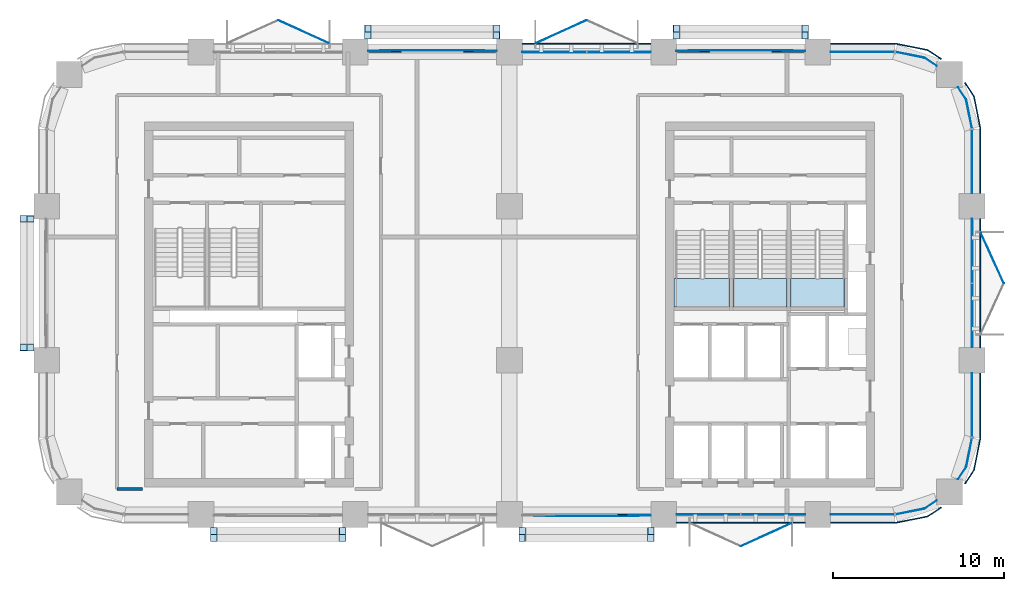
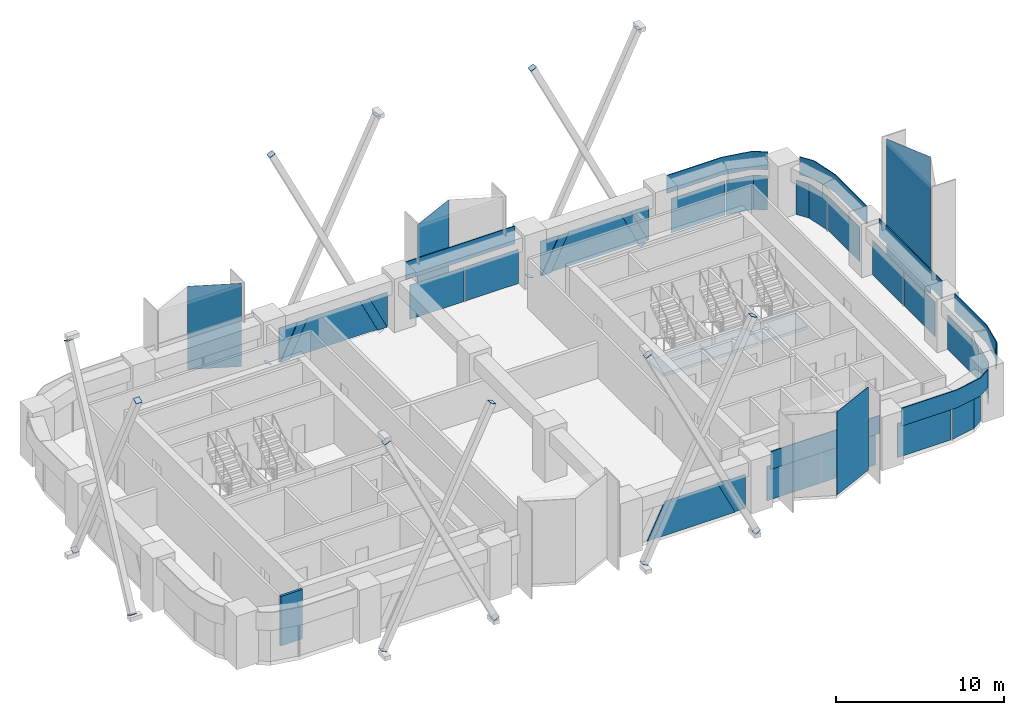
# One storey, part 8 of 14: 58 plates, 3 slabs, 1 wall, 13 elements without a shape of their own.
"""IFC4 building model written with IfcOpenShell, lengths in metres."""

from ifc_helpers import new_model, si_unit, direction, frame, frame_2d, origin, origin_2d, place, context, subcontext, project, spatial, polyline, rectangle, outline, extrude, material, layer, layer_set, type_object, element, aggregate, save


model = new_model("IFC4")

# Units and contexts
model_context = context("Model", 3, precision=1e-05, world=origin(), true_north=direction((0.0, 1.0)))
body_context = subcontext(model_context, "Body", "Model", "MODEL_VIEW")
ifc_project = project(units=[si_unit("LENGTHUNIT", "METRE"), si_unit("AREAUNIT", "SQUARE_METRE"), si_unit("VOLUMEUNIT", "CUBIC_METRE"), si_unit("PLANEANGLEUNIT", "RADIAN"), si_unit("MASSUNIT", "GRAM", prefix="KILO")], contexts=[model_context])

# Site, building, storey
site_placement = place(None, origin())
site = spatial("IfcSite", under=ifc_project, at=site_placement, CompositionType="ELEMENT")
building_placement = place(site_placement, origin())
building = spatial("IfcBuilding", under=site, at=building_placement, Name="Tessera Arch", CompositionType="ELEMENT")
storey_placement = place(building_placement, frame((0.0, 0.0, 181.699951171875)))
storey = spatial("IfcBuildingStorey", under=building, at=storey_placement, Name="L43", CompositionType="ELEMENT", Elevation=181.699951171875)

# Curtain wall, plates
ifc_material_1 = material(Name="CW1 curtain wall")
curtain_wall_type_1 = type_object("IfcCurtainWallType", Name="CW1 curtain wall", PredefinedType="NOTDEFINED", material=ifc_material_1)
curtain_wall_1_placement = place(storey_placement, origin())
curtain_wall_1 = element("IfcCurtainWall", 1, at=curtain_wall_1_placement, inside=storey, type_object=curtain_wall_type_1, Name="CW1 curtain wall E54.27/0 L43", PredefinedType="NOTDEFINED")
ifc_material_2 = material(Name="Clear low-e glass", Category="glass")
ifc_material_3 = material(Name="Clear low-e glass", Category="glass")
ifc_layer_1 = layer(ifc_material_3, 0.028076171875)
ifc_layer_set_1 = layer_set([ifc_layer_1], Name="CW1 glass panel")
plate_type_1 = type_object("IfcPlateType", Name="CW1 glass panel", PredefinedType="CURTAIN_PANEL", material=ifc_layer_set_1)
plate_1_placement = place(storey_placement, frame((54.0, 38.610107421875, 0.0), z_axis=(0.0, 0.0, 1.0), x_axis=(0.0, 1.0, 0.0)))
plate_1 = element("IfcPlate", 2, at=plate_1_placement, type_object=plate_type_1, material=ifc_material_2, Name="CW1 glass panel E54.27/0 1.1.1", PredefinedType="CURTAIN_PANEL", context=body_context, shape_type="SweptSolid", body=[
    extrude(rectangle(XDim=3.719970703125, YDim=0.028076171875, at=origin_2d()), origin(), (0.0, 0.0, 1.0), 2.5),
])
plate_2_placement = place(storey_placement, frame((54.0, 42.389892578125, 0.0), z_axis=(0.0, 0.0, 1.0), x_axis=(0.0, 1.0, 0.0)))
plate_2 = element("IfcPlate", 3, at=plate_2_placement, type_object=plate_type_1, material=ifc_material_2, Name="CW1 glass panel E54.27/0 1.2.1", PredefinedType="CURTAIN_PANEL", context=body_context, shape_type="SweptSolid", body=[
    extrude(rectangle(XDim=3.719970703125, YDim=0.028076171875, at=origin_2d()), origin(), (0.0, 0.0, 1.0), 2.5),
])

curtain_wall_2_placement = place(storey_placement, origin())
curtain_wall_2 = element("IfcCurtainWall", 4, at=curtain_wall_2_placement, inside=storey, type_object=curtain_wall_type_1, Name="CW1 curtain wall N54.0/2 L43", PredefinedType="NOTDEFINED")
plate_3_placement = place(storey_placement, frame((33.389892578125, 54.0, 0.0), z_axis=(0.0, 0.0, 1.0), x_axis=(-1.0, 0.0, 0.0)))
plate_3 = element("IfcPlate", 5, at=plate_3_placement, type_object=plate_type_1, material=ifc_material_2, Name="CW1 glass panel N54.0/2 1.1.1", PredefinedType="CURTAIN_PANEL", context=body_context, shape_type="SweptSolid", body=[
    extrude(rectangle(XDim=3.719970703125, YDim=0.028076171875, at=origin_2d()), origin(), (0.0, 0.0, 1.0), 2.5),
])
plate_4_placement = place(storey_placement, frame((29.610107421875, 54.0, 0.0), z_axis=(0.0, 0.0, 1.0), x_axis=(-1.0, 0.0, 0.0)))
plate_4 = element("IfcPlate", 6, at=plate_4_placement, type_object=plate_type_1, material=ifc_material_2, Name="CW1 glass panel N54.0/2 1.2.1", PredefinedType="CURTAIN_PANEL", context=body_context, shape_type="SweptSolid", body=[
    extrude(rectangle(XDim=3.719970703125, YDim=0.028076171875, at=origin_2d()), origin(), (0.0, 0.0, 1.0), 2.5),
])

curtain_wall_3_placement = place(storey_placement, origin())
curtain_wall_3 = element("IfcCurtainWall", 7, at=curtain_wall_3_placement, inside=storey, type_object=curtain_wall_type_1, Name="CW1 curtain wall S27.0/4 L43", PredefinedType="NOTDEFINED")
plate_5_placement = place(storey_placement, frame((38.610107421875, 27.0, 0.0), z_axis=(0.0, 0.0, 1.0), x_axis=(1.0, 0.0, 0.0)))
plate_5 = element("IfcPlate", 8, at=plate_5_placement, type_object=plate_type_1, material=ifc_material_2, Name="CW1 glass panel S27.0/4 1.1.1", PredefinedType="CURTAIN_PANEL", context=body_context, shape_type="SweptSolid", body=[
    extrude(rectangle(XDim=3.719970703125, YDim=0.028076171875, at=origin_2d()), origin(), (0.0, 0.0, 1.0), 2.5),
])
plate_6_placement = place(storey_placement, frame((42.389892578125, 27.0, 0.0), z_axis=(0.0, 0.0, 1.0), x_axis=(1.0, 0.0, 0.0)))
plate_6 = element("IfcPlate", 9, at=plate_6_placement, type_object=plate_type_1, material=ifc_material_2, Name="CW1 glass panel S27.0/4 1.2.1", PredefinedType="CURTAIN_PANEL", context=body_context, shape_type="SweptSolid", body=[
    extrude(rectangle(XDim=3.719970703125, YDim=0.028076171875, at=origin_2d()), origin(), (0.0, 0.0, 1.0), 2.5),
])

# Plate
ifc_material_4 = material(Name="Pale anodised aluminium panel", Category="aluminium")
ifc_layer_2 = layer(ifc_material_4, 0.06005859375)
ifc_layer_set_2 = layer_set([ifc_layer_2], Name="CW1 spandrel panel")
plate_type_2 = type_object("IfcPlateType", Name="CW1 spandrel panel", PredefinedType="CURTAIN_PANEL", material=ifc_layer_set_2)
plate_7_placement = place(storey_placement, frame((54.47998046875, 40.5, 2.60009765625), z_axis=(0.0, 0.0, 1.0), x_axis=(0.0, 1.0, 0.0)))
plate_7 = element("IfcPlate", 10, at=plate_7_placement, type_object=plate_type_2, Name="CW1 spandrel panel E54.27/0", PredefinedType="CURTAIN_PANEL", context=body_context, shape_type="SweptSolid", body=[
    extrude(rectangle(XDim=7.5, YDim=0.06005859375, at=origin_2d()), origin(), (0.0, 0.0, 1.0), 1.300048828125),
])

aggregate(curtain_wall_1, [plate_1, plate_2, plate_7])

plate_8_placement = place(storey_placement, frame((31.5, 54.47998046875, 2.60009765625), z_axis=(0.0, 0.0, 1.0), x_axis=(-1.0, 0.0, 0.0)))
plate_8 = element("IfcPlate", 11, at=plate_8_placement, type_object=plate_type_2, Name="CW1 spandrel panel N54.0/2", PredefinedType="CURTAIN_PANEL", context=body_context, shape_type="SweptSolid", body=[
    extrude(rectangle(XDim=7.5, YDim=0.06005859375, at=origin_2d()), origin(), (0.0, 0.0, 1.0), 1.300048828125),
])

aggregate(curtain_wall_2, [plate_3, plate_4, plate_8])

plate_9_placement = place(storey_placement, frame((40.5, 26.52001953125, 2.60009765625), z_axis=(0.0, 0.0, 1.0), x_axis=(1.0, 0.0, 0.0)))
plate_9 = element("IfcPlate", 12, at=plate_9_placement, type_object=plate_type_2, Name="CW1 spandrel panel S27.0/4", PredefinedType="CURTAIN_PANEL", context=body_context, shape_type="SweptSolid", body=[
    extrude(rectangle(XDim=7.5, YDim=0.06005859375, at=origin_2d()), origin(), (0.0, 0.0, 1.0), 1.300048828125),
])

aggregate(curtain_wall_3, [plate_5, plate_6, plate_9])

# Curtain wall, plates
ifc_material_5 = material(Name="CW2 curtain wall")
curtain_wall_type_2 = type_object("IfcCurtainWallType", Name="CW2 curtain wall", PredefinedType="NOTDEFINED", material=ifc_material_5)
curtain_wall_4_placement = place(storey_placement, origin())
curtain_wall_4 = element("IfcCurtainWall", 13, at=curtain_wall_4_placement, inside=storey, type_object=curtain_wall_type_2, Name="CW2 curtain wall E54.27/1 L43", PredefinedType="NOTDEFINED")
ifc_material_6 = material(Name="Clear low-e glass", Category="glass")
ifc_layer_3 = layer(ifc_material_6, 0.028076171875)
ifc_layer_set_3 = layer_set([ifc_layer_3], Name="CW2 glass panel")
plate_type_3 = type_object("IfcPlateType", Name="CW2 glass panel", PredefinedType="CURTAIN_PANEL", material=ifc_layer_set_3)
plate_10_placement = place(storey_placement, frame((54.0, 47.60498046875, 0.0), z_axis=(0.0, 0.0, 1.0), x_axis=(0.0, 1.0, 0.0)))
plate_10 = element("IfcPlate", 14, at=plate_10_placement, type_object=plate_type_3, material=ifc_material_2, Name="CW2 glass panel E54.27/1 1.1", PredefinedType="CURTAIN_PANEL", context=body_context, shape_type="SweptSolid", body=[
    extrude(rectangle(XDim=3.7099609375, YDim=0.028076171875, at=origin_2d()), origin(), (0.0, 0.0, 1.0), 2.5),
])
plate_11_placement = place(storey_placement, origin())
plate_11 = element("IfcPlate", 15, at=plate_11_placement, type_object=plate_type_3, material=ifc_material_2, Name="CW2 curved glass panel E54.27/1 2.1", PredefinedType="CURTAIN_PANEL", context=body_context, shape_type="SweptSolid", body=[
    extrude(outline(polyline([(53.644287109375, 51.216552734375), (53.978515625, 49.53662109375), (54.005859375, 49.5419921875), (53.670654296875, 51.2275390625), (53.19482421875, 51.939697265625), (53.17138671875, 51.92431640625), (53.644287109375, 51.216552734375)])), origin(), (0.0, 0.0, 1.0), 2.5),
])

curtain_wall_5_placement = place(storey_placement, origin())
curtain_wall_5 = element("IfcCurtainWall", 16, at=curtain_wall_5_placement, inside=storey, type_object=curtain_wall_type_2, Name="CW2 curtain wall N54.0/0 L43", PredefinedType="NOTDEFINED")
plate_12_placement = place(storey_placement, frame((47.60498046875, 54.0, 0.0), z_axis=(0.0, 0.0, 1.0), x_axis=(-1.0, 0.0, 0.0)))
plate_12 = element("IfcPlate", 17, at=plate_12_placement, type_object=plate_type_3, material=ifc_material_2, Name="CW2 glass panel N54.0/0 1.1", PredefinedType="CURTAIN_PANEL", context=body_context, shape_type="SweptSolid", body=[
    extrude(rectangle(XDim=3.7099609375, YDim=0.028076171875, at=origin_2d()), origin(), (0.0, 0.0, 1.0), 2.5),
])
plate_13_placement = place(storey_placement, origin())
plate_13 = element("IfcPlate", 18, at=plate_13_placement, type_object=plate_type_3, material=ifc_material_2, Name="CW2 curved glass panel N54.0/0 2.1", PredefinedType="CURTAIN_PANEL", context=body_context, shape_type="SweptSolid", body=[
    extrude(outline(polyline([(51.216552734375, 53.644287109375), (51.92431640625, 53.17138671875), (51.939697265625, 53.19482421875), (51.2275390625, 53.670654296875), (49.5419921875, 54.005859375), (49.53662109375, 53.978515625), (51.216552734375, 53.644287109375)])), origin(), (0.0, 0.0, 1.0), 2.5),
])

curtain_wall_6_placement = place(storey_placement, origin())
curtain_wall_6 = element("IfcCurtainWall", 19, at=curtain_wall_6_placement, inside=storey, type_object=curtain_wall_type_2, Name="CW2 curtain wall S27.0/5 L43", PredefinedType="NOTDEFINED")
plate_14_placement = place(storey_placement, frame((47.60498046875, 27.0, 0.0), z_axis=(0.0, 0.0, 1.0), x_axis=(1.0, 0.0, 0.0)))
plate_14 = element("IfcPlate", 20, at=plate_14_placement, type_object=plate_type_3, material=ifc_material_2, Name="CW2 glass panel S27.0/5 1.1", PredefinedType="CURTAIN_PANEL", context=body_context, shape_type="SweptSolid", body=[
    extrude(rectangle(XDim=3.7099609375, YDim=0.028076171875, at=origin_2d()), origin(), (0.0, 0.0, 1.0), 2.5),
])
plate_15_placement = place(storey_placement, origin())
plate_15 = element("IfcPlate", 21, at=plate_15_placement, type_object=plate_type_3, material=ifc_material_2, Name="CW2 curved glass panel S27.0/5 2.1", PredefinedType="CURTAIN_PANEL", context=body_context, shape_type="SweptSolid", body=[
    extrude(outline(polyline([(51.216552734375, 27.355712890625), (49.53662109375, 27.021484375), (49.5419921875, 26.994140625), (51.2275390625, 27.329345703125), (51.939697265625, 27.80517578125), (51.92431640625, 27.82861328125), (51.216552734375, 27.355712890625)])), origin(), (0.0, 0.0, 1.0), 2.5),
])

curtain_wall_7_placement = place(storey_placement, origin())
curtain_wall_7 = element("IfcCurtainWall", 22, at=curtain_wall_7_placement, inside=storey, type_object=curtain_wall_type_2, Name="CW2 curtain wall E54.27/2 L43", PredefinedType="NOTDEFINED")
plate_16_placement = place(storey_placement, frame((54.0, 33.39501953125, 0.0), z_axis=(0.0, 0.0, 1.0), x_axis=(0.0, 1.0, 0.0)))
plate_16 = element("IfcPlate", 23, at=plate_16_placement, type_object=plate_type_3, material=ifc_material_2, Name="CW2 glass panel E54.27/2 1.1", PredefinedType="CURTAIN_PANEL", context=body_context, shape_type="SweptSolid", body=[
    extrude(rectangle(XDim=3.7099609375, YDim=0.028076171875, at=origin_2d()), origin(), (0.0, 0.0, 1.0), 2.5),
])
plate_17_placement = place(storey_placement, origin())
plate_17 = element("IfcPlate", 24, at=plate_17_placement, type_object=plate_type_3, material=ifc_material_2, Name="CW2 curved glass panel E54.27/2 2.1", PredefinedType="CURTAIN_PANEL", context=body_context, shape_type="SweptSolid", body=[
    extrude(outline(polyline([(53.644287109375, 29.783447265625), (53.17138671875, 29.07568359375), (53.19482421875, 29.060302734375), (53.670654296875, 29.7724609375), (54.005859375, 31.4580078125), (53.978515625, 31.46337890625), (53.644287109375, 29.783447265625)])), origin(), (0.0, 0.0, 1.0), 2.5),
])

# Plate
ifc_material_7 = material(Name="Pale anodised aluminium panel", Category="aluminium")
ifc_layer_4 = layer(ifc_material_7, 0.06005859375)
ifc_layer_set_4 = layer_set([ifc_layer_4], Name="CW2 spandrel panel")
plate_type_4 = type_object("IfcPlateType", Name="CW2 spandrel panel", PredefinedType="CURTAIN_PANEL", material=ifc_layer_set_4)
plate_18_placement = place(storey_placement, frame((0.0, 0.0, 2.60009765625)))
plate_18 = element("IfcPlate", 25, at=plate_18_placement, type_object=plate_type_4, Name="CW2 spandrel panel E54.27/1", PredefinedType="CURTAIN_PANEL", context=body_context, shape_type="SweptSolid", body=[
    extrude(outline(polyline([(54.449951171875, 49.499267578125), (54.449951171875, 45.75), (54.510009765625, 45.75), (54.510009765625, 49.500732421875), (54.507568359375, 49.550048828125), (54.500244140625, 49.598876953125), (54.157470703125, 51.322265625), (54.1455078125, 51.3701171875), (54.128662109375, 51.417236328125), (54.107421875, 51.462646484375), (54.08203125, 51.5048828125), (53.607177734375, 52.21533203125), (53.55712890625, 52.18212890625), (54.03125, 51.47265625), (54.054443359375, 51.434326171875), (54.0732421875, 51.394287109375), (54.088134765625, 51.352783203125), (54.09912109375, 51.30908203125), (54.441162109375, 49.588623046875), (54.44775390625, 49.544189453125), (54.449951171875, 49.499267578125)])), origin(), (0.0, 0.0, 1.0), 1.300048828125),
])

aggregate(curtain_wall_4, [plate_10, plate_11, plate_18])

plate_19_placement = place(storey_placement, frame((0.0, 0.0, 2.60009765625)))
plate_19 = element("IfcPlate", 26, at=plate_19_placement, type_object=plate_type_4, Name="CW2 spandrel panel N54.0/0", PredefinedType="CURTAIN_PANEL", context=body_context, shape_type="SweptSolid", body=[
    extrude(outline(polyline([(51.47265625, 54.03125), (52.18212890625, 53.55712890625), (52.21533203125, 53.607177734375), (51.5048828125, 54.08203125), (51.462646484375, 54.107421875), (51.417236328125, 54.128662109375), (51.3701171875, 54.1455078125), (51.322265625, 54.157470703125), (49.598876953125, 54.500244140625), (49.550048828125, 54.507568359375), (49.500732421875, 54.510009765625), (45.75, 54.510009765625), (45.75, 54.449951171875), (49.499267578125, 54.449951171875), (49.544189453125, 54.44775390625), (49.588623046875, 54.441162109375), (51.30908203125, 54.09912109375), (51.352783203125, 54.088134765625), (51.394287109375, 54.0732421875), (51.434326171875, 54.054443359375), (51.47265625, 54.03125)])), origin(), (0.0, 0.0, 1.0), 1.300048828125),
])

aggregate(curtain_wall_5, [plate_12, plate_13, plate_19])

plate_20_placement = place(storey_placement, frame((0.0, 0.0, 2.60009765625)))
plate_20 = element("IfcPlate", 27, at=plate_20_placement, type_object=plate_type_4, Name="CW2 spandrel panel S27.0/5", PredefinedType="CURTAIN_PANEL", context=body_context, shape_type="SweptSolid", body=[
    extrude(outline(polyline([(49.499267578125, 26.550048828125), (45.75, 26.550048828125), (45.75, 26.489990234375), (49.500732421875, 26.489990234375), (49.550048828125, 26.492431640625), (49.598876953125, 26.499755859375), (51.322265625, 26.842529296875), (51.3701171875, 26.8544921875), (51.417236328125, 26.871337890625), (51.462646484375, 26.892578125), (51.5048828125, 26.91796875), (52.21533203125, 27.392822265625), (52.18212890625, 27.44287109375), (51.47265625, 26.96875), (51.434326171875, 26.945556640625), (51.394287109375, 26.9267578125), (51.352783203125, 26.911865234375), (51.30908203125, 26.90087890625), (49.588623046875, 26.558837890625), (49.544189453125, 26.55224609375), (49.499267578125, 26.550048828125)])), origin(), (0.0, 0.0, 1.0), 1.300048828125),
])

aggregate(curtain_wall_6, [plate_14, plate_15, plate_20])

plate_21_placement = place(storey_placement, frame((0.0, 0.0, 2.60009765625)))
plate_21 = element("IfcPlate", 28, at=plate_21_placement, type_object=plate_type_4, Name="CW2 spandrel panel E54.27/2", PredefinedType="CURTAIN_PANEL", context=body_context, shape_type="SweptSolid", body=[
    extrude(outline(polyline([(54.03125, 29.52734375), (53.55712890625, 28.81787109375), (53.607177734375, 28.78466796875), (54.08203125, 29.4951171875), (54.107421875, 29.537353515625), (54.128662109375, 29.582763671875), (54.1455078125, 29.6298828125), (54.157470703125, 29.677734375), (54.500244140625, 31.401123046875), (54.507568359375, 31.449951171875), (54.510009765625, 31.499267578125), (54.510009765625, 35.25), (54.449951171875, 35.25), (54.449951171875, 31.500732421875), (54.44775390625, 31.455810546875), (54.441162109375, 31.411376953125), (54.09912109375, 29.69091796875), (54.088134765625, 29.647216796875), (54.0732421875, 29.605712890625), (54.054443359375, 29.565673828125), (54.03125, 29.52734375)])), origin(), (0.0, 0.0, 1.0), 1.300048828125),
])

aggregate(curtain_wall_7, [plate_16, plate_17, plate_21])

# Curtain wall, plates
ifc_material_8 = material(Name="CW3 curtain wall")
curtain_wall_type_3 = type_object("IfcCurtainWallType", Name="CW3 curtain wall", PredefinedType="NOTDEFINED", material=ifc_material_8)
curtain_wall_8_placement = place(storey_placement, origin())
curtain_wall_8 = element("IfcCurtainWall", 29, at=curtain_wall_8_placement, inside=storey, type_object=curtain_wall_type_3, Name="CW3 curtain wall N54.0/1 L43", PredefinedType="NOTDEFINED")
ifc_material_9 = material(Name="Pale anodised aluminium panel", Category="aluminium")
ifc_layer_5 = layer(ifc_material_9, 0.06005859375)
ifc_layer_set_5 = layer_set([ifc_layer_5], Name="CW3 diagonal panel")
plate_type_5 = type_object("IfcPlateType", Name="CW3 diagonal panel", PredefinedType="CURTAIN_PANEL", material=ifc_layer_set_5)
plate_22_placement = place(storey_placement, frame((38.0361328125, 54.030029296875, 2.5), z_axis=(0.0, 1.0, 0.0), x_axis=(1.0, 0.0, 0.0)))
plate_22 = element("IfcPlate", 30, at=plate_22_placement, type_object=plate_type_5, Name="CW3 diagonal panel N54.0/1 1", PredefinedType="CURTAIN_PANEL", context=body_context, shape_type="SweptSolid", body=[
    extrude(outline(polyline([(0.0, 0.0), (0.641845703125, 0.0), (-0.57568359375, 2.5), (-1.217529296875, 2.5), (0.0, 0.0)])), origin(), (0.0, 0.0, -1.0), 0.06005859375),
])
plate_23_placement = place(storey_placement, frame((42.322021484375, 54.030029296875, 2.5), z_axis=(0.0, 1.0, 0.0), x_axis=(1.0, 0.0, 0.0)))
plate_23 = element("IfcPlate", 31, at=plate_23_placement, type_object=plate_type_5, Name="CW3 diagonal panel N54.0/1 2", PredefinedType="CURTAIN_PANEL", context=body_context, shape_type="SweptSolid", body=[
    extrude(outline(polyline([(0.0, 0.0), (0.641845703125, 0.0), (1.859375, 2.5), (1.217529296875, 2.5), (0.0, 0.0)])), origin(), (0.0, 0.0, -1.0), 0.06005859375),
])

curtain_wall_9_placement = place(storey_placement, origin())
curtain_wall_9 = element("IfcCurtainWall", 32, at=curtain_wall_9_placement, inside=storey, type_object=curtain_wall_type_3, Name="CW3 curtain wall N54.0/3 L43", PredefinedType="NOTDEFINED")
plate_24_placement = place(storey_placement, frame((20.0361328125, 54.030029296875, 2.5), z_axis=(0.0, 1.0, 0.0), x_axis=(1.0, 0.0, 0.0)))
plate_24 = element("IfcPlate", 33, at=plate_24_placement, type_object=plate_type_5, Name="CW3 diagonal panel N54.0/3 1", PredefinedType="CURTAIN_PANEL", context=body_context, shape_type="SweptSolid", body=[
    extrude(outline(polyline([(0.0, 0.0), (0.641845703125, 0.0), (-0.57568359375, 2.5), (-1.217529296875, 2.5), (0.0, 0.0)])), origin(), (0.0, 0.0, -1.0), 0.06005859375),
])
plate_25_placement = place(storey_placement, frame((24.322021484375, 54.030029296875, 2.5), z_axis=(0.0, 1.0, 0.0), x_axis=(1.0, 0.0, 0.0)))
plate_25 = element("IfcPlate", 34, at=plate_25_placement, type_object=plate_type_5, Name="CW3 diagonal panel N54.0/3 2", PredefinedType="CURTAIN_PANEL", context=body_context, shape_type="SweptSolid", body=[
    extrude(outline(polyline([(0.0, 0.0), (0.641845703125, 0.0), (1.859375, 2.5), (1.217529296875, 2.5), (0.0, 0.0)])), origin(), (0.0, 0.0, -1.0), 0.06005859375),
])

# Curtain wall, plate
curtain_wall_10_placement = place(storey_placement, origin())
curtain_wall_10 = element("IfcCurtainWall", 35, at=curtain_wall_10_placement, inside=storey, type_object=curtain_wall_type_3, Name="CW3 curtain wall S27.0/3 L43", PredefinedType="NOTDEFINED")
plate_26_placement = place(storey_placement, frame((33.9638671875, 26.969970703125, 2.5), z_axis=(0.0, -1.0, 0.0), x_axis=(-1.0, 0.0, 0.0)))
plate_26 = element("IfcPlate", 36, at=plate_26_placement, type_object=plate_type_5, Name="CW3 diagonal panel S27.0/3 1", PredefinedType="CURTAIN_PANEL", context=body_context, shape_type="SweptSolid", body=[
    extrude(outline(polyline([(0.0, 0.0), (0.641845703125, 0.0), (-0.57568359375, 2.5), (-1.217529296875, 2.5), (0.0, 0.0)])), origin(), (0.0, 0.0, -1.0), 0.06005859375),
])

# Plate
ifc_material_10 = material(Name="Clear low-e glass", Category="glass")
ifc_layer_6 = layer(ifc_material_10, 0.028076171875)
ifc_layer_set_6 = layer_set([ifc_layer_6], Name="CW3 glass panel")
plate_type_6 = type_object("IfcPlateType", Name="CW3 glass panel", PredefinedType="CURTAIN_PANEL", material=ifc_layer_set_6)
plate_27_placement = place(storey_placement, frame((44.25, 54.05810546875, 0.0), z_axis=(0.0, 1.0, 0.0), x_axis=(-1.0, 0.0, 0.0)))
plate_27 = element("IfcPlate", 37, at=plate_27_placement, type_object=plate_type_6, material=ifc_material_2, Name="CW3 triangulated glass panel N54.0/1 1", PredefinedType="CURTAIN_PANEL", context=body_context, shape_type="SweptSolid", body=[
    extrude(outline(polyline([(0.0, 0.0), (0.068603515625, 0.0), (1.2861328125, 2.5), (0.0, 2.5), (0.0, 0.0)])), origin(), (0.0, 0.0, -1.0), 0.028076171875),
])

plate_28_placement = place(storey_placement, frame((38.677978515625, 54.0859375, 2.5), z_axis=(0.0, 1.0, 0.0), x_axis=(1.0, 0.0, 0.0)))
plate_28 = element("IfcPlate", 38, at=plate_28_placement, type_object=plate_type_6, material=ifc_material_2, Name="CW3 triangulated glass panel N54.0/1 2", PredefinedType="CURTAIN_PANEL", context=body_context, shape_type="SweptSolid", body=[
    extrude(outline(polyline([(0.0, 0.0), (3.64404296875, 0.0), (4.861572265625, 2.5), (-1.217529296875, 2.5), (0.0, 0.0)])), origin(), (0.0, 0.0, -1.0), 0.028076171875),
])

plate_29_placement = place(storey_placement, frame((36.75, 54.05810546875, 2.5), z_axis=(0.0, 1.0, 0.0), x_axis=(1.0, 0.0, 0.0)))
plate_29 = element("IfcPlate", 39, at=plate_29_placement, type_object=plate_type_6, material=ifc_material_2, Name="CW3 triangulated glass panel N54.0/1 3", PredefinedType="CURTAIN_PANEL", context=body_context, shape_type="SweptSolid", body=[
    extrude(outline(polyline([(0.0, 0.0), (1.2861328125, 0.0), (0.068603515625, 2.5), (0.0, 2.5), (0.0, 0.0)])), origin(), (0.0, 0.0, -1.0), 0.028076171875),
])

aggregate(curtain_wall_8, [plate_27, plate_28, plate_29, plate_22, plate_23])

plate_30_placement = place(storey_placement, frame((26.25, 54.05810546875, 0.0), z_axis=(0.0, 1.0, 0.0), x_axis=(-1.0, 0.0, 0.0)))
plate_30 = element("IfcPlate", 40, at=plate_30_placement, type_object=plate_type_6, material=ifc_material_2, Name="CW3 triangulated glass panel N54.0/3 1", PredefinedType="CURTAIN_PANEL", context=body_context, shape_type="SweptSolid", body=[
    extrude(outline(polyline([(0.0, 0.0), (0.068603515625, 0.0), (1.2861328125, 2.5), (0.0, 2.5), (0.0, 0.0)])), origin(), (0.0, 0.0, -1.0), 0.028076171875),
])

plate_31_placement = place(storey_placement, frame((20.677978515625, 54.0859375, 2.5), z_axis=(0.0, 1.0, 0.0), x_axis=(1.0, 0.0, 0.0)))
plate_31 = element("IfcPlate", 41, at=plate_31_placement, type_object=plate_type_6, material=ifc_material_2, Name="CW3 triangulated glass panel N54.0/3 2", PredefinedType="CURTAIN_PANEL", context=body_context, shape_type="SweptSolid", body=[
    extrude(outline(polyline([(0.0, 0.0), (3.64404296875, 0.0), (4.861572265625, 2.5), (-1.217529296875, 2.5), (0.0, 0.0)])), origin(), (0.0, 0.0, -1.0), 0.028076171875),
])

plate_32_placement = place(storey_placement, frame((18.75, 54.05810546875, 2.5), z_axis=(0.0, 1.0, 0.0), x_axis=(1.0, 0.0, 0.0)))
plate_32 = element("IfcPlate", 42, at=plate_32_placement, type_object=plate_type_6, material=ifc_material_2, Name="CW3 triangulated glass panel N54.0/3 3", PredefinedType="CURTAIN_PANEL", context=body_context, shape_type="SweptSolid", body=[
    extrude(outline(polyline([(0.0, 0.0), (1.2861328125, 0.0), (0.068603515625, 2.5), (0.0, 2.5), (0.0, 0.0)])), origin(), (0.0, 0.0, -1.0), 0.028076171875),
])

aggregate(curtain_wall_9, [plate_30, plate_31, plate_32, plate_24, plate_25])

plate_33_placement = place(storey_placement, frame((33.322021484375, 26.9140625, 2.5), z_axis=(0.0, -1.0, 0.0), x_axis=(-1.0, 0.0, 0.0)))
plate_33 = element("IfcPlate", 43, at=plate_33_placement, type_object=plate_type_6, material=ifc_material_2, Name="CW3 triangulated glass panel S27.0/3 2", PredefinedType="CURTAIN_PANEL", context=body_context, shape_type="SweptSolid", body=[
    extrude(outline(polyline([(0.0, 0.0), (3.64404296875, 0.0), (4.861572265625, 2.5), (-1.217529296875, 2.5), (0.0, 0.0)])), origin(), (0.0, 0.0, -1.0), 0.028076171875),
])

plate_34_placement = place(storey_placement, frame((35.25, 26.94189453125, 2.5), z_axis=(0.0, -1.0, 0.0), x_axis=(-1.0, 0.0, 0.0)))
plate_34 = element("IfcPlate", 44, at=plate_34_placement, type_object=plate_type_6, material=ifc_material_2, Name="CW3 triangulated glass panel S27.0/3 3", PredefinedType="CURTAIN_PANEL", context=body_context, shape_type="SweptSolid", body=[
    extrude(outline(polyline([(0.0, 0.0), (1.2861328125, 0.0), (0.068603515625, 2.5), (0.0, 2.5), (0.0, 0.0)])), origin(), (0.0, 0.0, -1.0), 0.028076171875),
])

aggregate(curtain_wall_10, [plate_33, plate_34, plate_26])

# Plates
ifc_material_11 = material(Name="Steel A572 Gr50", Category="steel")
ifc_layer_7 = layer(ifc_material_11, 0.02490234375)
ifc_layer_set_7 = layer_set([ifc_layer_7], Name="End plate HSS16x16x5/8")
plate_type_7 = type_object("IfcPlateType", Name="End plate HSS16x16x5/8", PredefinedType="SHEET", material=ifc_layer_set_7)
for number, where, z_axis, x_axis, name in (
    (45, (44.260986328125, 54.953125, -0.822509765625), (-0.439385247314, 0.0, 0.898298727842), (0.0, -1.0, 0.0), "End plate HSS16x16x5/8 N54.0-1 A1 L43"),
    (46, (36.75, 54.953125, 14.60009765625), (-0.439385247314, 0.0, 0.898298727842), (0.0, -1.0, 0.0), "End plate HSS16x16x5/8 N54.0-1 A2 L43"),
    (47, (36.739013671875, 55.359619140625, -0.822509765625), (0.439385247314, 0.0, 0.898298727842), (0.0, 1.0, 0.0), "End plate HSS16x16x5/8 N54.0-1 B1 L43"),
    (48, (44.25, 55.359619140625, 14.60009765625), (0.439385247314, 0.0, 0.898298727842), (0.0, 1.0, 0.0), "End plate HSS16x16x5/8 N54.0-1 B2 L43"),
    (49, (26.260986328125, 54.953125, -0.822509765625), (-0.439385247314, 0.0, 0.898298727842), (0.0, -1.0, 0.0), "End plate HSS16x16x5/8 N54.0-3 A1 L43"),
    (50, (18.75, 54.953125, 14.60009765625), (-0.439385247314, 0.0, 0.898298727842), (0.0, -1.0, 0.0), "End plate HSS16x16x5/8 N54.0-3 A2 L43"),
    (51, (18.739013671875, 55.359619140625, -0.822509765625), (0.439385247314, 0.0, 0.898298727842), (0.0, 1.0, 0.0), "End plate HSS16x16x5/8 N54.0-3 B1 L43"),
    (52, (26.25, 55.359619140625, 14.60009765625), (0.439385247314, 0.0, 0.898298727842), (0.0, 1.0, 0.0), "End plate HSS16x16x5/8 N54.0-3 B2 L43"),
    (53, (-0.953125, 44.260986328125, -0.822509765625), (0.0, -0.439385247314, 0.898298727842), (1.0, 0.0, 0.0), "End plate HSS16x16x5/8 W0.27-1 A1 L43"),
    (54, (-0.953125, 36.75, 14.60009765625), (0.0, -0.439385247314, 0.898298727842), (1.0, 0.0, 0.0), "End plate HSS16x16x5/8 W0.27-1 A2 L43"),
    (55, (-1.359619140625, 36.739013671875, -0.822509765625), (0.0, 0.439385247314, 0.898298727842), (-1.0, 0.0, 0.0), "End plate HSS16x16x5/8 W0.27-1 B1 L43"),
    (56, (-1.359619140625, 44.25, 14.60009765625), (0.0, 0.439385247314, 0.898298727842), (-1.0, 0.0, 0.0), "End plate HSS16x16x5/8 W0.27-1 B2 L43"),
    (57, (9.739013671875, 26.046875, -0.822509765625), (0.439385247314, 0.0, 0.898298727842), (0.0, 1.0, 0.0), "End plate HSS16x16x5/8 S27.0-1 A1 L43"),
    (58, (17.25, 26.046875, 14.60009765625), (0.439385247314, 0.0, 0.898298727842), (0.0, 1.0, 0.0), "End plate HSS16x16x5/8 S27.0-1 A2 L43"),
    (59, (17.260986328125, 25.640380859375, -0.822509765625), (-0.439385247314, 0.0, 0.898298727842), (0.0, -1.0, 0.0), "End plate HSS16x16x5/8 S27.0-1 B1 L43"),
    (60, (9.75, 25.640380859375, 14.60009765625), (-0.439385247314, 0.0, 0.898298727842), (0.0, -1.0, 0.0), "End plate HSS16x16x5/8 S27.0-1 B2 L43"),
    (61, (27.739013671875, 26.046875, -0.822509765625), (0.439385247314, 0.0, 0.898298727842), (0.0, 1.0, 0.0), "End plate HSS16x16x5/8 S27.0-3 A1 L43"),
    (62, (35.25, 26.046875, 14.60009765625), (0.439385247314, 0.0, 0.898298727842), (0.0, 1.0, 0.0), "End plate HSS16x16x5/8 S27.0-3 A2 L43"),
    (63, (35.260986328125, 25.640380859375, -0.822509765625), (-0.439385247314, 0.0, 0.898298727842), (0.0, -1.0, 0.0), "End plate HSS16x16x5/8 S27.0-3 B1 L43"),
    (64, (27.75, 25.640380859375, 14.60009765625), (-0.439385247314, 0.0, 0.898298727842), (0.0, -1.0, 0.0), "End plate HSS16x16x5/8 S27.0-3 B2 L43"),
):
    element("IfcPlate", number, at=place(storey_placement, frame(where, z_axis=z_axis, x_axis=x_axis)), inside=storey, type_object=plate_type_7, Name=name, PredefinedType="SHEET", context=body_context, shape_type="SweptSolid", body=[
        extrude(rectangle(XDim=0.406494140625, YDim=0.406494140625, at=origin_2d()), origin(), (0.0, 0.0, 1.0), 0.02490234375),
    ])

# Stair, slab
ifc_material_12 = material(Name="Concrete C40/50", Category="concrete")
stair_type = type_object("IfcStairType", Name="Dogleg stair 1520", PredefinedType="HALF_TURN_STAIR", material=ifc_material_12)
stair_1_placement = place(storey_placement, origin())
stair_1 = element("IfcStair", 65, at=stair_1_placement, inside=storey, type_object=stair_type, Name="L43 S1a", PredefinedType="HALF_TURN_STAIR")
ifc_material_13 = material(Name="Concrete C40/50", Category="concrete")
ifc_layer_8 = layer(ifc_material_13, 0.300048828125)
ifc_layer_set_8 = layer_set([ifc_layer_8], Name="Stair landing 300")
slab_type = type_object("IfcSlabType", Name="Stair landing 300", PredefinedType="LANDING", material=ifc_layer_set_8)
slab_1_placement = place(storey_placement, frame((0.0, 0.0, 1.75)))
slab_1 = element("IfcSlab", 66, at=slab_1_placement, type_object=slab_type, Name="S1a landing 1", PredefinedType="LANDING", context=body_context, shape_type="SweptSolid", body=[
    extrude(outline(polyline([(36.60009765625, 40.780029296875), (36.60009765625, 39.10009765625), (39.85009765625, 39.10009765625), (39.85009765625, 40.780029296875), (36.60009765625, 40.780029296875)])), origin(), (0.0, 0.0, 1.0), 0.199951171875),
])
aggregate(stair_1, [slab_1])

stair_2_placement = place(storey_placement, origin())
stair_2 = element("IfcStair", 67, at=stair_2_placement, inside=storey, type_object=stair_type, Name="L43 S1b", PredefinedType="HALF_TURN_STAIR")
slab_2_placement = place(storey_placement, frame((0.0, 0.0, 1.75)))
slab_2 = element("IfcSlab", 68, at=slab_2_placement, type_object=slab_type, Name="S1b landing 1", PredefinedType="LANDING", context=body_context, shape_type="SweptSolid", body=[
    extrude(outline(polyline([(40.050048828125, 40.780029296875), (40.050048828125, 39.10009765625), (43.199951171875, 39.10009765625), (43.199951171875, 40.780029296875), (40.050048828125, 40.780029296875)])), origin(), (0.0, 0.0, 1.0), 0.199951171875),
])
aggregate(stair_2, [slab_2])

stair_3_placement = place(storey_placement, origin())
stair_3 = element("IfcStair", 69, at=stair_3_placement, inside=storey, type_object=stair_type, Name="L43 S1c", PredefinedType="HALF_TURN_STAIR")
slab_3_placement = place(storey_placement, frame((0.0, 0.0, 1.75)))
slab_3 = element("IfcSlab", 70, at=slab_3_placement, type_object=slab_type, Name="S1c landing 1", PredefinedType="LANDING", context=body_context, shape_type="SweptSolid", body=[
    extrude(outline(polyline([(43.39990234375, 40.780029296875), (43.39990234375, 39.10009765625), (46.550048828125, 39.10009765625), (46.550048828125, 40.780029296875), (43.39990234375, 40.780029296875)])), origin(), (0.0, 0.0, 1.0), 0.199951171875),
])
aggregate(stair_3, [slab_3])

# Plates
ifc_material_14 = material(Name="Clear low-e glass", Category="glass")
ifc_layer_9 = layer(ifc_material_14, 0.028076171875)
ifc_layer_set_9 = layer_set([ifc_layer_9], Name="Window box glass facet")
plate_type_8 = type_object("IfcPlateType", Name="Window box glass facet", PredefinedType="SHEET", material=ifc_layer_set_9)
for number, where, z_axis, x_axis, name in (
    (71, (14.97509765625, 55.179931640625, 0.219970703125), (0.0, 0.0, 1.0), (-0.910472144558, 0.413570397858, 0.0), "Window box N54.0/4.0 2x2 glass"),
    (72, (30.02490234375, 55.179931640625, 0.219970703125), (0.0, 0.0, 1.0), (0.910472144558, 0.413570397858, 0.0), "Window box N54.0/2.0 2x2 glass"),
    (73, (41.97509765625, 25.820068359375, 0.219970703125), (0.0, 0.0, 1.0), (-0.910472144558, -0.413570397858, 0.0), "Window box S27.0/4.0 2x2 glass"),
):
    element("IfcPlate", number, at=place(storey_placement, frame(where, z_axis=z_axis, x_axis=x_axis)), inside=storey, type_object=plate_type_8, Name=name, PredefinedType="SHEET", context=body_context, shape_type="SweptSolid", body=[
        extrude(rectangle(XDim=3.239990234375, YDim=0.028076171875, at=origin_2d()), origin(), (0.0, 0.0, 1.0), 6.06005859375),
    ])
plate_35_placement = place(storey_placement, frame((55.179931640625, 41.97509765625, 0.219970703125), z_axis=(0.0, 0.0, 1.0), x_axis=(0.413570397858, -0.910472144558, 0.0)))
element("IfcPlate", 74, at=plate_35_placement, inside=storey, type_object=plate_type_8, Name="Window box E54.27/0.0 2x3 glass", PredefinedType="SHEET", context=body_context, shape_type="SweptSolid", body=[
    extrude(rectangle(XDim=3.239990234375, YDim=0.028076171875, at=origin_2d()), origin(), (0.0, 0.0, 1.0), 9.9599609375),
])

# Wall
ifc_material_15 = material(Name="Gypsum board on deep steel stud with mineral wool", Category="steel")
ifc_layer_10 = layer(ifc_material_15, 0.175048828125)
ifc_layer_set_10 = layer_set([ifc_layer_10], Name="Corridor wall 175 EI 60")
wall_type = type_object("IfcWallType", Name="Corridor wall 175 EI 60", PredefinedType="PARTITIONING", material=ifc_layer_set_10)
wall_placement = place(storey_placement, frame((4.10009765625, 28.5, 0.0), z_axis=(0.0, 0.0, 1.0), x_axis=(1.0, 0.0, 0.0)))
element("IfcWall", 75, at=wall_placement, inside=storey, type_object=wall_type, Name="L43 partition 1", PredefinedType="PARTITIONING", context=body_context, shape_type="SweptSolid", body=[
    extrude(rectangle(XDim=1.5, YDim=0.175048828125, at=frame_2d((0.75, 0.0))), origin(), (0.0, 0.0, 1.0), 3.60009765625),
])

save(model, "model.ifc")
